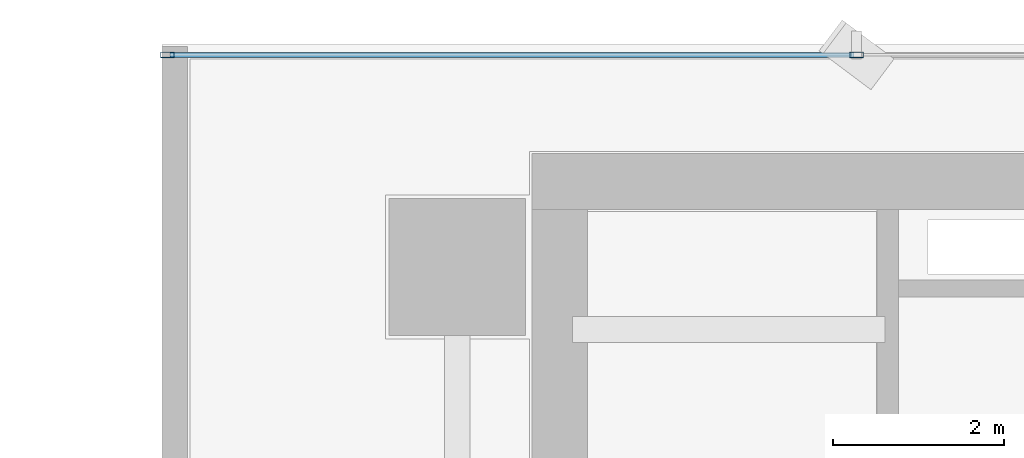
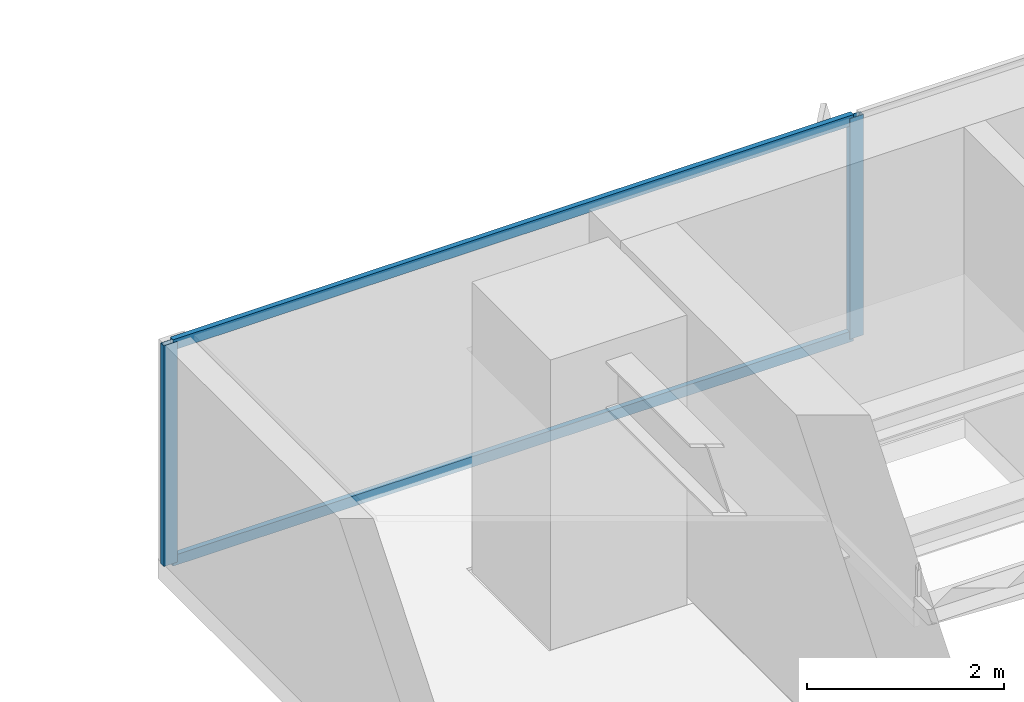
# One storey, part 20 of 37: 4 members, 1 element without a shape of its own.
"""IFC4 building model written with IfcOpenShell, lengths in metres."""

from ifc_helpers import new_model, si_unit, direction, frame, origin, origin_2d, place, context, subcontext, project, spatial, hollow_rectangle, extrude, source, transform, mapped, material, layer, layer_set, material_profile, profile_set, type_object, element, aggregate, save


model = new_model("IFC4")

# Units and contexts
model_context = context("Model", 3, precision=1e-05, world=origin(), true_north=direction((0.0, 1.0)))
body_context = subcontext(model_context, "Body", "Model", "MODEL_VIEW")
ifc_project = project(units=[si_unit("LENGTHUNIT", "METRE"), si_unit("AREAUNIT", "SQUARE_METRE"), si_unit("VOLUMEUNIT", "CUBIC_METRE"), si_unit("PLANEANGLEUNIT", "RADIAN"), si_unit("MASSUNIT", "GRAM", prefix="KILO")], contexts=[model_context])

# Site, building, storey
site_placement = place(None, origin())
site = spatial("IfcSite", under=ifc_project, at=site_placement, CompositionType="ELEMENT")
building_placement = place(site_placement, origin())
building = spatial("IfcBuilding", under=site, at=building_placement, Name="Sumidabori Civic Tower", CompositionType="ELEMENT")
storey_placement = place(building_placement, frame((0.0, 0.0, 88.39990234375)))
storey = spatial("IfcBuildingStorey", under=building, at=storey_placement, Name="L22", CompositionType="ELEMENT", Elevation=88.39990234375)

# Curtain wall, members
ifc_material = material(Name="Anodised Bronze Aluminium AW-6063-T6", Category="aluminium")
ifc_layer = layer(ifc_material, 0.179931640625, Name="Anodised Bronze Aluminium AW-6063-T6")
ifc_layer_set = layer_set([ifc_layer], Name="Anodised Bronze Aluminium AW-6063-T6")
curtain_wall_type = type_object("IfcCurtainWallType", Name="CW-SYS-3", PredefinedType="NOTDEFINED", material=ifc_layer_set)
curtain_wall_placement = place(storey_placement, origin())
curtain_wall = element("IfcCurtainWall", 1, at=curtain_wall_placement, inside=storey, type_object=curtain_wall_type, Name="Curtain Wall CW:L22:R07", PredefinedType="NOTDEFINED")
ifc_material_profile_1 = material_profile(ifc_material, hollow_rectangle(XDim=0.06494140625, YDim=0.159912109375, WallThickness=0.0048828125, at=origin_2d()), Name="ALU MULLION 160x65")
ifc_profile_set_1 = profile_set([ifc_material_profile_1], Name="Anodised Bronze Aluminium AW-6063-T6")
member_type_1 = type_object("IfcMemberType", Name="CW-MUL-160", PredefinedType="MULLION", material=ifc_profile_set_1)
shared_shape_1 = source(origin(), body_context, "Body", "SweptSolid", [
    extrude(hollow_rectangle(XDim=0.06494140625, YDim=0.159912109375, WallThickness=0.0048828125, at=origin_2d()), origin(), (0.0, 0.0, 1.0), 2.739990234375),
])
member_1_placement = place(storey_placement, frame((-12.132080078125, 25.280029296875, 0.0), z_axis=(0.0, 0.0, 1.0), x_axis=(0.0, -1.0, 0.0)))
member_1 = element("IfcMember", 2, at=member_1_placement, type_object=member_type_1, Name="CW-3 mullion 5", PredefinedType="MULLION", context=body_context, shape_type="MappedRepresentation", body=[
    mapped(shared_shape_1, transform((0.0, 0.0, 0.0), x_axis=(1.0, 0.0, 0.0), y_axis=(0.0, 1.0, 0.0), z_axis=(0.0, 0.0, 1.0), scale=1.0)),
])
member_2_placement = place(storey_placement, frame((-20.1875, 25.280029296875, 0.0), z_axis=(0.0, 0.0, 1.0), x_axis=(0.0, -1.0, 0.0)))
member_2 = element("IfcMember", 3, at=member_2_placement, type_object=member_type_1, Name="CW-3 mullion 6", PredefinedType="MULLION", context=body_context, shape_type="MappedRepresentation", body=[
    mapped(shared_shape_1, transform((0.0, 0.0, 0.0), x_axis=(1.0, 0.0, 0.0), y_axis=(0.0, 1.0, 0.0), z_axis=(0.0, 0.0, 1.0), scale=1.0)),
])
ifc_material_profile_2 = material_profile(ifc_material, hollow_rectangle(XDim=0.06005859375, YDim=0.1298828125, WallThickness=0.0048828125, at=origin_2d()), Name="ALU TRANSOM 130x60")
ifc_profile_set_2 = profile_set([ifc_material_profile_2], Name="Anodised Bronze Aluminium AW-6063-T6")
member_type_2 = type_object("IfcMemberType", Name="CW-TRN-130", PredefinedType="USERDEFINED", material=ifc_profile_set_2)
shared_shape_2 = source(origin(), body_context, "Body", "SweptSolid", [
    extrude(hollow_rectangle(XDim=0.06005859375, YDim=0.1298828125, WallThickness=0.0048828125, at=origin_2d()), origin(), (0.0, 0.0, 1.0), 7.990478515625),
])
member_3_placement = place(storey_placement, frame((-12.16455078125, 25.280029296875, 0.030029296875), z_axis=(-1.0, 0.0, 0.0), x_axis=(0.0, -1.0, 0.0)))
member_3 = element("IfcMember", 4, at=member_3_placement, type_object=member_type_2, Name="CW-3 transom 5.1", ObjectType="TRANSOM", PredefinedType="USERDEFINED", context=body_context, shape_type="MappedRepresentation", body=[
    mapped(shared_shape_2, transform((0.0, 0.0, 0.0), x_axis=(1.0, 0.0, 0.0), y_axis=(0.0, 1.0, 0.0), z_axis=(0.0, 0.0, 1.0), scale=1.0)),
])
member_4_placement = place(storey_placement, frame((-12.16455078125, 25.280029296875, 2.710205078125), z_axis=(-1.0, 0.0, 0.0), x_axis=(0.0, -1.0, 0.0)))
member_4 = element("IfcMember", 5, at=member_4_placement, type_object=member_type_2, Name="CW-3 transom 5.2", ObjectType="TRANSOM", PredefinedType="USERDEFINED", context=body_context, shape_type="MappedRepresentation", body=[
    mapped(shared_shape_2, transform((0.0, 0.0, 0.0), x_axis=(1.0, 0.0, 0.0), y_axis=(0.0, 1.0, 0.0), z_axis=(0.0, 0.0, 1.0), scale=1.0)),
])
aggregate(curtain_wall, [member_1, member_2, member_3, member_4])

save(model, "model.ifc")
